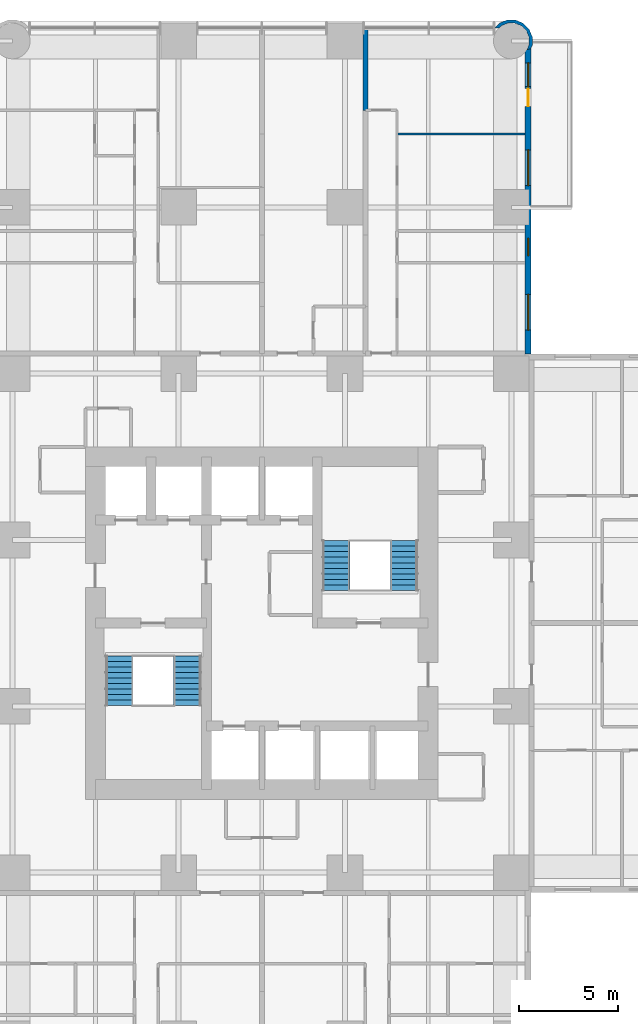
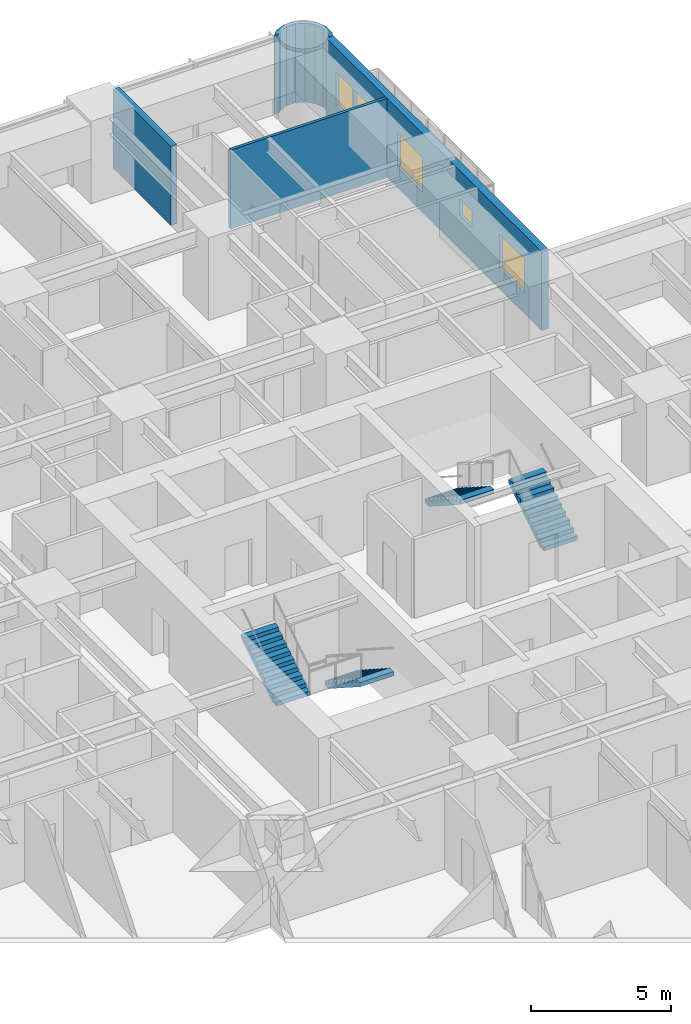
# One storey, part 15 of 17: 4 stair flights, 4 walls, 4 windows, 1 door, 5 openings, 2 elements without a shape of their own.
"""IFC4 building model written with IfcOpenShell, lengths in metres."""

import ifcopenshell
import ifcopenshell.guid

model = None  # the IFC model being written
_history = None  # IfcOwnerHistory: only IFC2X3 demands one
_inside = {}  # id of a spatial element -> (the spatial element, [elements in it])
_under = {}  # id of a project, library or spatial element -> (it, [spatial elements below it])
_declared = {}  # id of a project -> (the project, [libraries it declares])
_typed = {}  # id of a type object -> (the type object, [elements of that type])
_made_of = {}  # id of a material, layer set ... -> (it, [elements and type objects made of it])


def new_model(schema):
    """Start an empty IFC model of exactly this schema.

    Asked for "IFC4X3", IfcOpenShell would pick the latest addendum, in which some entities
    have other attributes; the version numbers below select the first issue.
    IFC2X3 requires an IfcOwnerHistory on every rooted entity: one is made here for all.
    """
    global model, _history
    if schema == "IFC4X3":
        model = ifcopenshell.file(schema_version=(4, 3, 0, 0))
    else:
        model = ifcopenshell.file(schema=schema)
    _inside.clear()
    _under.clear()
    _declared.clear()
    _typed.clear()
    _made_of.clear()
    _history = None
    if model.schema == "IFC2X3":
        org = make("IfcOrganization", Name="unknown")
        user = make(
            "IfcPersonAndOrganization",
            ThePerson=make("IfcPerson", FamilyName="unknown"),
            TheOrganization=org,
        )
        app = make(
            "IfcApplication",
            ApplicationDeveloper=org,
            Version="unknown",
            ApplicationFullName="unknown",
            ApplicationIdentifier="unknown",
        )
        _history = make(
            "IfcOwnerHistory",
            OwningUser=user,
            OwningApplication=app,
            ChangeAction="ADDED",
            CreationDate=0,
        )
    return model


def make(cls, **values):
    """One entity of the class cls with the attributes given. An attribute that is None is left unset."""
    return model.create_entity(
        cls, **{name: value for name, value in values.items() if value is not None}
    )


def rooted(cls, **values):
    """An entity with a GlobalId (a new one), such as an element, a storey or a relation."""
    return make(cls, GlobalId=ifcopenshell.guid.new(), OwnerHistory=_history, **values)


def si_unit(unit_type, name, prefix=None):
    """IfcSIUnit, for example si_unit("LENGTHUNIT", "METRE", prefix="MILLI")."""
    return make("IfcSIUnit", UnitType=unit_type, Prefix=prefix, Name=name)


def assignment(units):
    """IfcUnitAssignment: the units of a project."""
    return None if units is None else make("IfcUnitAssignment", Units=units)


def point(xyz):
    """IfcCartesianPoint."""
    return None if xyz is None else make("IfcCartesianPoint", Coordinates=xyz)


def direction(xyz):
    """IfcDirection."""
    return None if xyz is None else make("IfcDirection", DirectionRatios=xyz)


def frame(location, z_axis=None, x_axis=None):
    """IfcAxis2Placement3D, a coordinate frame: its origin and axes. An axis left out is left unset."""
    return make(
        "IfcAxis2Placement3D",
        Location=point(location),
        Axis=direction(z_axis),
        RefDirection=direction(x_axis),
    )


def frame_2d(location, x_axis=None):
    """IfcAxis2Placement2D, a coordinate frame in the plane: its origin and x axis."""
    return make(
        "IfcAxis2Placement2D", Location=point(location), RefDirection=direction(x_axis)
    )


def origin():
    """The frame at (0, 0, 0) with its axes left unset."""
    return frame((0.0, 0.0, 0.0))


def place(relative_to, where):
    """IfcLocalPlacement: puts the frame where relative to a parent placement (None: the world)."""
    return make(
        "IfcLocalPlacement", PlacementRelTo=relative_to, RelativePlacement=where
    )


def context(
    kind, dimensions, precision=None, world=None, true_north=None, identifier=None
):
    """IfcGeometricRepresentationContext, for example the 3D "Model" context."""
    return make(
        "IfcGeometricRepresentationContext",
        ContextIdentifier=identifier,
        ContextType=kind,
        CoordinateSpaceDimension=dimensions,
        Precision=precision,
        WorldCoordinateSystem=world,
        TrueNorth=true_north,
    )


def subcontext(parent, identifier, kind, view, scale=None):
    """IfcGeometricRepresentationSubContext, for example "Body" below "Model"."""
    return make(
        "IfcGeometricRepresentationSubContext",
        ContextIdentifier=identifier,
        ContextType=kind,
        ParentContext=parent,
        TargetScale=scale,
        TargetView=view,
    )


def project(units=None, contexts=None):
    """IfcProject with its units and contexts."""
    return rooted(
        "IfcProject",
        Name="project",
        RepresentationContexts=contexts,
        UnitsInContext=assignment(units),
    )


def spatial(cls, under=None, at=None, **own):
    """A site, building, storey or space (cls), placed at a placement, below another one or the project."""
    s = rooted(cls, ObjectPlacement=at, **own)
    if under is not None:
        _under.setdefault(under.id(), (under, []))[1].append(s)
    return s


def polyline(points):
    """IfcPolyline through the points."""
    return make("IfcPolyline", Points=[point(p) for p in points])


def profile(cls, at=None, kind="AREA", **sizes):
    """A parametric profile (cls). Its sizes go by their IFC names, for example OverallWidth=200.0."""
    return make(cls, ProfileType=kind, Position=at, **sizes)


def rectangle(**sizes):
    """IfcRectangleProfileDef."""
    return profile("IfcRectangleProfileDef", **sizes)


def outline(outer, holes=None, kind="AREA"):
    """IfcArbitraryClosedProfileDef: a profile drawn as a closed curve; with holes, ...WithVoids."""
    if holes is None:
        return make("IfcArbitraryClosedProfileDef", ProfileType=kind, OuterCurve=outer)
    return make(
        "IfcArbitraryProfileDefWithVoids",
        ProfileType=kind,
        OuterCurve=outer,
        InnerCurves=holes,
    )


def extrude(swept, where, along, depth):
    """IfcExtrudedAreaSolid: the profile swept, set in the frame where, extruded along a direction by depth."""
    return make(
        "IfcExtrudedAreaSolid",
        SweptArea=swept,
        Position=where,
        ExtrudedDirection=direction(along),
        Depth=depth,
    )


def shape(context_of_items, identifier, shape_type, items):
    """IfcShapeRepresentation: the items that make up one representation, for example the "Body"."""
    return make(
        "IfcShapeRepresentation",
        ContextOfItems=context_of_items,
        RepresentationIdentifier=identifier,
        RepresentationType=shape_type,
        Items=items,
    )


def material(Name=None, Category=None):
    """IfcMaterial."""
    return make("IfcMaterial", Name=Name, Category=Category)


def layer(
    of_material, thickness, ventilated=None, Name=None, Category=None, Priority=None
):
    """IfcMaterialLayer: one layer of a wall or slab, of a material (None: an air gap)."""
    return make(
        "IfcMaterialLayer",
        Material=of_material,
        LayerThickness=thickness,
        IsVentilated=ventilated,
        Name=Name,
        Category=Category,
        Priority=Priority,
    )


def layer_set(layers, Name=None):
    """IfcMaterialLayerSet."""
    return make("IfcMaterialLayerSet", MaterialLayers=layers, LayerSetName=Name)


def made_of(thing, what):
    """Note that an element or type object is made of a material, layer set ...; save() writes the relation."""
    if what is not None:
        _made_of.setdefault(what.id(), (what, []))[1].append(thing)
    return thing


def type_object(cls, material=None, **own):
    """A type object (cls), such as IfcWallType, which elements share."""
    return made_of(rooted(cls, **own), material)


def element(
    cls,
    number,
    at=None,
    inside=None,
    cuts=None,
    type_object=None,
    material=None,
    context=None,
    identifier="Body",
    shape_type=None,
    held_by="IfcProductDefinitionShape",
    body=None,
    shapes=None,
    **own,
):
    """One element of the class cls, such as IfcWall. Its Tag is "e" and its number.

    at: its placement. inside: the storey or other place that contains it. cuts: it is an
    opening in that element (IfcRelVoidsElement). A single representation is given by context,
    identifier, shape_type and body (its items); several are given by shapes. held_by: the class
    of the entity that holds the representations. save() writes the other relations.
    """
    e = rooted(cls, Tag="e%d" % number, ObjectPlacement=at, **own)
    if body is not None:
        shapes = [shape(context, identifier, shape_type, body)]
    if shapes is not None:
        e.Representation = make(held_by, Representations=shapes)
    if inside is not None:
        _inside.setdefault(inside.id(), (inside, []))[1].append(e)
    if cuts is not None:
        rooted(
            "IfcRelVoidsElement", RelatingBuildingElement=cuts, RelatedOpeningElement=e
        )
    if type_object is not None:
        _typed.setdefault(type_object.id(), (type_object, []))[1].append(e)
    return made_of(e, material)


def fill(opening, filler):
    """IfcRelFillsElement: the door or window that sits in an opening."""
    return rooted(
        "IfcRelFillsElement",
        RelatingOpeningElement=opening,
        RelatedBuildingElement=filler,
    )


def aggregate(whole, parts):
    """IfcRelAggregates: a whole, such as a stair, and the parts it consists of."""
    return rooted("IfcRelAggregates", RelatingObject=whole, RelatedObjects=parts)


def save(model, path):
    """Write the relations noted so far, then the file.

    IfcRelAggregates (storeys below a building ...), IfcRelContainedInSpatialStructure (elements
    in a storey), IfcRelDefinesByType, IfcRelAssociatesMaterial and IfcRelDeclares: one each for
    every whole, place, type object, material and project.
    """
    for whole, parts in _under.values():
        aggregate(whole, parts)
    for where, things in _inside.values():
        rooted(
            "IfcRelContainedInSpatialStructure",
            RelatedElements=things,
            RelatingStructure=where,
        )
    for kind, things in _typed.values():
        rooted("IfcRelDefinesByType", RelatedObjects=things, RelatingType=kind)
    for what, things in _made_of.values():
        rooted("IfcRelAssociatesMaterial", RelatedObjects=things, RelatingMaterial=what)
    for by, libraries in _declared.values():
        rooted("IfcRelDeclares", RelatingContext=by, RelatedDefinitions=libraries)
    model.write(path)


model = new_model("IFC4")

# Units and contexts
model_context = context("Model", 3, precision=1e-05, world=origin(), true_north=direction((0.0, 1.0)))
body_context = subcontext(model_context, "Body", "Model", "MODEL_VIEW")
ifc_project = project(units=[si_unit("LENGTHUNIT", "METRE"), si_unit("AREAUNIT", "SQUARE_METRE"), si_unit("VOLUMEUNIT", "CUBIC_METRE"), si_unit("PLANEANGLEUNIT", "RADIAN"), si_unit("MASSUNIT", "GRAM", prefix="KILO")], contexts=[model_context])

# Site, building, storey
site_placement = place(None, origin())
site = spatial("IfcSite", under=ifc_project, at=site_placement, CompositionType="ELEMENT")
building_placement = place(site_placement, origin())
building = spatial("IfcBuilding", under=site, at=building_placement, Name="Torre Alcanfor", CompositionType="ELEMENT")
storey_placement = place(building_placement, frame((0.0, 0.0, 70.5)))
storey = spatial("IfcBuildingStorey", under=building, at=storey_placement, Name="L17", CompositionType="ELEMENT", Elevation=70.5)

# Wall
ifc_material_1 = material(Name="Gypsum board on steel studs", Category="steel")
ifc_layer_1 = layer(ifc_material_1, 0.1201171875)
ifc_layer_set_1 = layer_set([ifc_layer_1], Name="Apartment partition 120")
wall_type_1 = type_object("IfcWallType", Name="Apartment partition 120", PredefinedType="PARTITIONING", material=ifc_layer_set_1)
wall_1_placement = place(storey_placement, frame((36.22900390625, 54.10009765625, 0.0), z_axis=(0.0, 0.0, 1.0), x_axis=(1.0, 0.0, 0.0)))
element("IfcWall", 1, at=wall_1_placement, inside=storey, type_object=wall_type_1, Name="Partition L17-N2B-MASTER / L17-N2B-KITCHEN", PredefinedType="PARTITIONING", context=body_context, shape_type="SweptSolid", body=[
    extrude(rectangle(XDim=6.470947265625, YDim=0.1201171875, at=frame_2d((3.2353515625, 0.0))), origin(), (0.0, 0.0, 1.0), 3.449951171875),
])

# Wall, openings, door, windows
ifc_material_2 = material(Name="Limestone cladding", Category="masonry")
ifc_layer_2 = layer(ifc_material_2, 0.0400390625, Name="Facing")
ifc_material_3 = material(Name="Ventilated air cavity")
ifc_layer_3 = layer(ifc_material_3, 0.02001953125, ventilated=True, Name="Ventilated joint")
ifc_material_4 = material(Name="Mineral wool insulation", Category="insulation")
ifc_layer_4 = layer(ifc_material_4, 0.10009765625, Name="Insulation")
ifc_material_5 = material(Name="Concrete f'c 35 MPa", Category="concrete")
ifc_layer_5 = layer(ifc_material_5, 0.139892578125, Name="Backing")
ifc_layer_set_2 = layer_set([ifc_layer_2, ifc_layer_3, ifc_layer_4, ifc_layer_5], Name="External wall stone-clad 300")
wall_type_2 = type_object("IfcWallType", Name="External wall stone-clad 300", PredefinedType="SOLIDWALL", material=ifc_layer_set_2)
wall_2_placement = place(storey_placement, frame((42.85009765625, 43.0, 0.0), z_axis=(0.0, 0.0, 1.0), x_axis=(0.0, 1.0, 0.0)))
wall_2 = element("IfcWall", 2, at=wall_2_placement, inside=storey, type_object=wall_type_2, Name="External wall L17 10", PredefinedType="SOLIDWALL", context=body_context, shape_type="SweptSolid", body=[
    extrude(rectangle(XDim=15.39990234375, YDim=0.300048828125, at=frame_2d((7.699951171875, 0.0))), origin(), (0.0, 0.0, 1.0), 3.449951171875),
])
opening_1_placement = place(wall_2_placement, frame((1.199951171875, 0.0, 0.89990234375)))
opening_1 = element("IfcOpeningElement", 3, at=opening_1_placement, cuts=wall_2, Name="Opening W2", PredefinedType="OPENING", context=body_context, shape_type="SweptSolid", body=[
    extrude(rectangle(XDim=1.800048828125, YDim=1.5, at=frame_2d((0.89990234375, 0.75))), frame((0.0, 0.159912109375, 0.0), z_axis=(0.0, -1.0, 0.0), x_axis=(1.0, 0.0, 0.0)), (0.0, 0.0, 1.0), 0.320068359375),
])
opening_2_placement = place(wall_2_placement, frame((4.949951171875, 0.0, 1.5)))
opening_2 = element("IfcOpeningElement", 4, at=opening_2_placement, cuts=wall_2, Name="Opening W3", PredefinedType="OPENING", context=body_context, shape_type="SweptSolid", body=[
    extrude(rectangle(XDim=0.89990234375, YDim=0.699951171875, at=frame_2d((0.449951171875, 0.35009765625))), frame((0.0, 0.159912109375, 0.0), z_axis=(0.0, -1.0, 0.0), x_axis=(1.0, 0.0, 0.0)), (0.0, 0.0, 1.0), 0.320068359375),
])
opening_3_placement = place(wall_2_placement, frame((8.5, 0.0, 0.89990234375)))
opening_3 = element("IfcOpeningElement", 5, at=opening_3_placement, cuts=wall_2, Name="Opening W2", PredefinedType="OPENING", context=body_context, shape_type="SweptSolid", body=[
    extrude(rectangle(XDim=1.800048828125, YDim=1.5, at=frame_2d((0.89990234375, 0.75))), frame((0.0, 0.159912109375, 0.0), z_axis=(0.0, -1.0, 0.0), x_axis=(1.0, 0.0, 0.0)), (0.0, 0.0, 1.0), 0.320068359375),
])
opening_4_placement = place(wall_2_placement, frame((12.5, 0.0, 0.0)))
opening_4 = element("IfcOpeningElement", 6, at=opening_4_placement, cuts=wall_2, Name="Opening D-B1", PredefinedType="OPENING", context=body_context, shape_type="SweptSolid", body=[
    extrude(rectangle(XDim=0.89990234375, YDim=2.39990234375, at=frame_2d((0.449951171875, 1.199951171875))), frame((0.0, 0.159912109375, 0.0), z_axis=(0.0, -1.0, 0.0), x_axis=(1.0, 0.0, 0.0)), (0.0, 0.0, 1.0), 0.320068359375),
])
opening_5_placement = place(wall_2_placement, frame((13.5, 0.0, 0.89990234375)))
opening_5 = element("IfcOpeningElement", 7, at=opening_5_placement, cuts=wall_2, Name="Opening W4", PredefinedType="OPENING", context=body_context, shape_type="SweptSolid", body=[
    extrude(rectangle(XDim=1.199951171875, YDim=1.5, at=frame_2d((0.60009765625, 0.75))), frame((0.0, 0.159912109375, 0.0), z_axis=(0.0, -1.0, 0.0), x_axis=(1.0, 0.0, 0.0)), (0.0, 0.0, 1.0), 0.320068359375),
])
ifc_material_6 = material(Name="Aluminium and glass", Category="aluminium")
door_type = type_object("IfcDoorType", Name="Balcony door glazed 900x2400", OperationType="SINGLE_SWING_LEFT", PredefinedType="DOOR", material=ifc_material_6)
door_placement = place(opening_4_placement, origin())
door = element("IfcDoor", 8, at=door_placement, inside=storey, type_object=door_type, Name="Balcony door L17-N2", OperationType="SINGLE_SWING_LEFT", OverallHeight=2.39990234375, OverallWidth=0.89990234375, PredefinedType="DOOR", context=body_context, shape_type="SweptSolid", body=[
    extrude(rectangle(XDim=0.89990234375, YDim=2.39990234375, at=frame_2d((0.449951171875, 1.199951171875))), frame((0.0, 0.02490234375, 0.0), z_axis=(0.0, -1.0, 0.0), x_axis=(1.0, 0.0, 0.0)), (0.0, 0.0, 1.0), 0.050048828125),
])
fill(opening_4, door)
ifc_material_7 = material(Name="Aluminium frame with clear double glazing", Category="aluminium")
window_type_1 = type_object("IfcWindowType", Name="Window bathroom 900x700", PartitioningType="SINGLE_PANEL", PredefinedType="WINDOW", material=ifc_material_7)
window_1_placement = place(opening_2_placement, origin())
window_1 = element("IfcWindow", 9, at=window_1_placement, inside=storey, type_object=window_type_1, Name="Window W3 L17-N2", OverallHeight=0.699951171875, OverallWidth=0.89990234375, PartitioningType="SINGLE_PANEL", PredefinedType="WINDOW", context=body_context, shape_type="SweptSolid", body=[
    extrude(rectangle(XDim=0.89990234375, YDim=0.699951171875, at=frame_2d((0.449951171875, 0.35009765625))), frame((0.0, 0.030029296875, 0.0), z_axis=(0.0, -1.0, 0.0), x_axis=(1.0, 0.0, 0.0)), (0.0, 0.0, 1.0), 0.06005859375),
])
fill(opening_2, window_1)
ifc_material_8 = material(Name="Aluminium frame with clear double glazing", Category="aluminium")
window_type_2 = type_object("IfcWindowType", Name="Window bedroom 1200x1500", PartitioningType="SINGLE_PANEL", PredefinedType="WINDOW", material=ifc_material_8)
window_2_placement = place(opening_5_placement, origin())
window_2 = element("IfcWindow", 10, at=window_2_placement, inside=storey, type_object=window_type_2, Name="Window W4 L17-N2", OverallHeight=1.5, OverallWidth=1.199951171875, PartitioningType="SINGLE_PANEL", PredefinedType="WINDOW", context=body_context, shape_type="SweptSolid", body=[
    extrude(rectangle(XDim=1.199951171875, YDim=1.5, at=frame_2d((0.60009765625, 0.75))), frame((0.0, 0.030029296875, 0.0), z_axis=(0.0, -1.0, 0.0), x_axis=(1.0, 0.0, 0.0)), (0.0, 0.0, 1.0), 0.06005859375),
])
fill(opening_5, window_2)
ifc_material_9 = material(Name="Aluminium frame with clear double glazing", Category="aluminium")
window_type_3 = type_object("IfcWindowType", Name="Window bedroom 1800x1500", PartitioningType="SINGLE_PANEL", PredefinedType="WINDOW", material=ifc_material_9)
window_3_placement = place(opening_1_placement, origin())
window_3 = element("IfcWindow", 11, at=window_3_placement, inside=storey, type_object=window_type_3, Name="Window W2 L17-N2", OverallHeight=1.5, OverallWidth=1.800048828125, PartitioningType="SINGLE_PANEL", PredefinedType="WINDOW", context=body_context, shape_type="SweptSolid", body=[
    extrude(rectangle(XDim=1.800048828125, YDim=1.5, at=frame_2d((0.89990234375, 0.75))), frame((0.0, 0.030029296875, 0.0), z_axis=(0.0, -1.0, 0.0), x_axis=(1.0, 0.0, 0.0)), (0.0, 0.0, 1.0), 0.06005859375),
])
fill(opening_1, window_3)
window_4_placement = place(opening_3_placement, origin())
window_4 = element("IfcWindow", 12, at=window_4_placement, inside=storey, type_object=window_type_3, Name="Window W2 L17-N2", OverallHeight=1.5, OverallWidth=1.800048828125, PartitioningType="SINGLE_PANEL", PredefinedType="WINDOW", context=body_context, shape_type="SweptSolid", body=[
    extrude(rectangle(XDim=1.800048828125, YDim=1.5, at=frame_2d((0.89990234375, 0.75))), frame((0.0, 0.030029296875, 0.0), z_axis=(0.0, -1.0, 0.0), x_axis=(1.0, 0.0, 0.0)), (0.0, 0.0, 1.0), 0.06005859375),
])
fill(opening_3, window_4)

# Walls
ifc_material_10 = material(Name="Concrete block masonry, hollow blocks NMX-C-404 9 MPa", Category="masonry")
ifc_layer_6 = layer(ifc_material_10, 0.25)
ifc_layer_set_3 = layer_set([ifc_layer_6], Name="Party wall 250 EI 60")
wall_type_3 = type_object("IfcWallType", Name="Party wall 250 EI 60", PredefinedType="PARTITIONING", material=ifc_layer_set_3)
wall_3_placement = place(storey_placement, frame((34.62890625, 59.449951171875, 0.0), z_axis=(0.0, 0.0, 1.0), x_axis=(0.0, -1.0, 0.0)))
element("IfcWall", 13, at=wall_3_placement, inside=storey, type_object=wall_type_3, Name="Partition L17-N2A-STUDIO / L17-N2B-LIVING", PredefinedType="PARTITIONING", context=body_context, shape_type="SweptSolid", body=[
    extrude(rectangle(XDim=4.14990234375, YDim=0.25, at=frame_2d((2.074951171875, 0.0))), origin(), (0.0, 0.0, 1.0), 3.449951171875),
])
ifc_layer_7 = layer(ifc_material_2, 0.0400390625, Name="Facing")
ifc_layer_8 = layer(ifc_material_3, 0.02001953125, ventilated=True, Name="Ventilated joint")
ifc_layer_9 = layer(ifc_material_4, 0.10009765625, Name="Insulation")
ifc_layer_10 = layer(ifc_material_5, 0.139892578125, Name="Backing")
ifc_layer_set_4 = layer_set([ifc_layer_7, ifc_layer_8, ifc_layer_9, ifc_layer_10], Name="Rounded corner pier stone-clad 300")
wall_type_4 = type_object("IfcWallType", Name="Rounded corner pier stone-clad 300", PredefinedType="SOLIDWALL", material=ifc_layer_set_4)
wall_4_placement = place(storey_placement, frame((42.909907157, 58.436037137, 0.0), z_axis=(0.0, 0.0, 1.0), x_axis=(0.377204953059, 0.926129809145, 0.0)))
element("IfcWall", 14, at=wall_4_placement, inside=storey, type_object=wall_type_4, Name="Corner pier L17 19", PredefinedType="SOLIDWALL", context=body_context, shape_type="SweptSolid", body=[
    extrude(outline(polyline([(0.7691852559267269, 1.7275655888693722), (0.7500837815089341, 1.7226854696447296), (0.5995184426781746, 1.8748886632921522), (0.2945936606603473, 2.0035010026328943), (0.2810273060341947, 1.997975539453316), (0.36031770266114094, 1.803298350568026), (0.5085974876189833, 1.7408474269996308), (0.7606365681954048, 1.4857768783201941), (0.8958262339890831, 1.1538534018003268), (0.8937222712355792, 0.7952725095567933), (0.7546148492098406, 0.46498406151765126), (0.499678315387847, 0.21326317790465843), (0.16775483886797962, 0.07807351211098004), (-0.09987659960761772, 0.07952365190173498), (0.0005179574386563676, -0.09706789048462287), (0.030062934124933945, -0.08028941878374739), (0.19840443706273136, -0.08131937838229769), (0.5888893443854909, 0.07772187013655965), (0.888882191412798, 0.3741551975114527), (1.0524222412975957, 0.7628997957685094), (1.0551270334293679, 1.1847291059055145), (0.8961778759635035, 1.5749879073178383), (0.7777318237989179, 1.6949314401857838), (0.7691852559267269, 1.7275655888693722)])), origin(), (0.0, 0.0, 1.0), 3.449951171875),
])

# Stair, stair flights
ifc_material_11 = material(Name="Concrete f'c 35 MPa", Category="concrete")
stair_type_1 = type_object("IfcStairType", Name="Exit stair S1 1400 wide", PredefinedType="HALF_TURN_STAIR", material=ifc_material_11)
stair_1_placement = place(storey_placement, origin())
stair_1 = element("IfcStair", 15, at=stair_1_placement, inside=storey, type_object=stair_type_1, Name="Stair S1 L17 to L18", PredefinedType="HALF_TURN_STAIR")
ifc_material_12 = material(Name="Concrete f'c 35 MPa", Category="concrete")
stair_flight_type = type_object("IfcStairFlightType", Name="Stair flight 1400", PredefinedType="STRAIGHT", material=ifc_material_12)
stair_flight_1_placement = place(storey_placement, frame((25.64990234375, 27.75, 0.0), z_axis=(0.0, 0.0, 1.0), x_axis=(0.0, -1.0, 0.0)))
stair_flight_1 = element("IfcStairFlight", 16, at=stair_flight_1_placement, type_object=stair_flight_type, Name="S1 flight 1", NumberOfRisers=10, NumberOfTreads=9, PredefinedType="STRAIGHT", RiserHeight=0.18, TreadLength=0.28, context=body_context, shape_type="SweptSolid", body=[
    extrude(outline(polyline([(0.0, 0.0), (0.0, 0.179931640625), (0.280029296875, 0.179931640625), (0.280029296875, 0.360107421875), (0.56005859375, 0.360107421875), (0.56005859375, 0.5400390625), (0.840087890625, 0.5400390625), (0.840087890625, 0.719970703125), (1.1201171875, 0.719970703125), (1.1201171875, 0.89990234375), (1.39990234375, 0.89990234375), (1.39990234375, 1.080078125), (1.679931640625, 1.080078125), (1.679931640625, 1.260009765625), (1.9599609375, 1.260009765625), (1.9599609375, 1.43994140625), (2.239990234375, 1.43994140625), (2.239990234375, 1.6201171875), (2.52001953125, 1.6201171875), (2.52001953125, 1.800048828125), (2.52001953125, 1.44189453125), (0.277099609375, 0.0), (0.0, 0.0)])), frame((0.0, 0.699951171875, 0.0), z_axis=(0.0, -1.0, 0.0), x_axis=(1.0, 0.0, 0.0)), (0.0, 0.0, 1.0), 1.39990234375),
])
stair_flight_2_placement = place(storey_placement, frame((22.199951171875, 25.22998046875, 1.800048828125), z_axis=(0.0, 0.0, 1.0), x_axis=(0.0, 1.0, 0.0)))
stair_flight_2 = element("IfcStairFlight", 17, at=stair_flight_2_placement, type_object=stair_flight_type, Name="S1 flight 2", NumberOfRisers=10, NumberOfTreads=9, PredefinedType="STRAIGHT", RiserHeight=0.18, TreadLength=0.28, context=body_context, shape_type="SweptSolid", body=[
    extrude(outline(polyline([(0.0, 0.0), (0.0, 0.179931640625), (0.280029296875, 0.179931640625), (0.280029296875, 0.360107421875), (0.56005859375, 0.360107421875), (0.56005859375, 0.5400390625), (0.840087890625, 0.5400390625), (0.840087890625, 0.719970703125), (1.1201171875, 0.719970703125), (1.1201171875, 0.89990234375), (1.39990234375, 0.89990234375), (1.39990234375, 1.080078125), (1.679931640625, 1.080078125), (1.679931640625, 1.260009765625), (1.9599609375, 1.260009765625), (1.9599609375, 1.43994140625), (2.239990234375, 1.43994140625), (2.239990234375, 1.6201171875), (2.52001953125, 1.6201171875), (2.52001953125, 1.800048828125), (2.52001953125, 1.44189453125), (0.277099609375, 0.0), (0.0, 0.0)])), frame((0.0, 0.699951171875, 0.0), z_axis=(0.0, -1.0, 0.0), x_axis=(1.0, 0.0, 0.0)), (0.0, 0.0, 1.0), 1.39990234375),
])
aggregate(stair_1, [stair_flight_1, stair_flight_2])

ifc_material_13 = material(Name="Concrete f'c 35 MPa", Category="concrete")
stair_type_2 = type_object("IfcStairType", Name="Exit stair S2 1400 wide", PredefinedType="HALF_TURN_STAIR", material=ifc_material_13)
stair_2_placement = place(storey_placement, origin())
stair_2 = element("IfcStair", 18, at=stair_2_placement, inside=storey, type_object=stair_type_2, Name="Stair S2 L17 to L18", PredefinedType="HALF_TURN_STAIR")
stair_flight_3_placement = place(storey_placement, frame((36.60009765625, 31.050048828125, 0.0), z_axis=(0.0, 0.0, 1.0), x_axis=(0.0, 1.0, 0.0)))
stair_flight_3 = element("IfcStairFlight", 19, at=stair_flight_3_placement, type_object=stair_flight_type, Name="S2 flight 1", NumberOfRisers=10, NumberOfTreads=9, PredefinedType="STRAIGHT", RiserHeight=0.18, TreadLength=0.28, context=body_context, shape_type="SweptSolid", body=[
    extrude(outline(polyline([(0.0, 0.0), (0.0, 0.179931640625), (0.280029296875, 0.179931640625), (0.280029296875, 0.360107421875), (0.56005859375, 0.360107421875), (0.56005859375, 0.5400390625), (0.840087890625, 0.5400390625), (0.840087890625, 0.719970703125), (1.1201171875, 0.719970703125), (1.1201171875, 0.89990234375), (1.39990234375, 0.89990234375), (1.39990234375, 1.080078125), (1.679931640625, 1.080078125), (1.679931640625, 1.260009765625), (1.9599609375, 1.260009765625), (1.9599609375, 1.43994140625), (2.239990234375, 1.43994140625), (2.239990234375, 1.6201171875), (2.52001953125, 1.6201171875), (2.52001953125, 1.800048828125), (2.52001953125, 1.44189453125), (0.277099609375, 0.0), (0.0, 0.0)])), frame((0.0, 0.699951171875, 0.0), z_axis=(0.0, -1.0, 0.0), x_axis=(1.0, 0.0, 0.0)), (0.0, 0.0, 1.0), 1.39990234375),
])
stair_flight_4_placement = place(storey_placement, frame((33.14990234375, 33.570068359375, 1.800048828125), z_axis=(0.0, 0.0, 1.0), x_axis=(0.0, -1.0, 0.0)))
stair_flight_4 = element("IfcStairFlight", 20, at=stair_flight_4_placement, type_object=stair_flight_type, Name="S2 flight 2", NumberOfRisers=10, NumberOfTreads=9, PredefinedType="STRAIGHT", RiserHeight=0.18, TreadLength=0.28, context=body_context, shape_type="SweptSolid", body=[
    extrude(outline(polyline([(0.0, 0.0), (0.0, 0.179931640625), (0.280029296875, 0.179931640625), (0.280029296875, 0.360107421875), (0.56005859375, 0.360107421875), (0.56005859375, 0.5400390625), (0.840087890625, 0.5400390625), (0.840087890625, 0.719970703125), (1.1201171875, 0.719970703125), (1.1201171875, 0.89990234375), (1.39990234375, 0.89990234375), (1.39990234375, 1.080078125), (1.679931640625, 1.080078125), (1.679931640625, 1.260009765625), (1.9599609375, 1.260009765625), (1.9599609375, 1.43994140625), (2.239990234375, 1.43994140625), (2.239990234375, 1.6201171875), (2.52001953125, 1.6201171875), (2.52001953125, 1.800048828125), (2.52001953125, 1.44189453125), (0.277099609375, 0.0), (0.0, 0.0)])), frame((0.0, 0.699951171875, 0.0), z_axis=(0.0, -1.0, 0.0), x_axis=(1.0, 0.0, 0.0)), (0.0, 0.0, 1.0), 1.39990234375),
])
aggregate(stair_2, [stair_flight_3, stair_flight_4])

save(model, "model.ifc")
